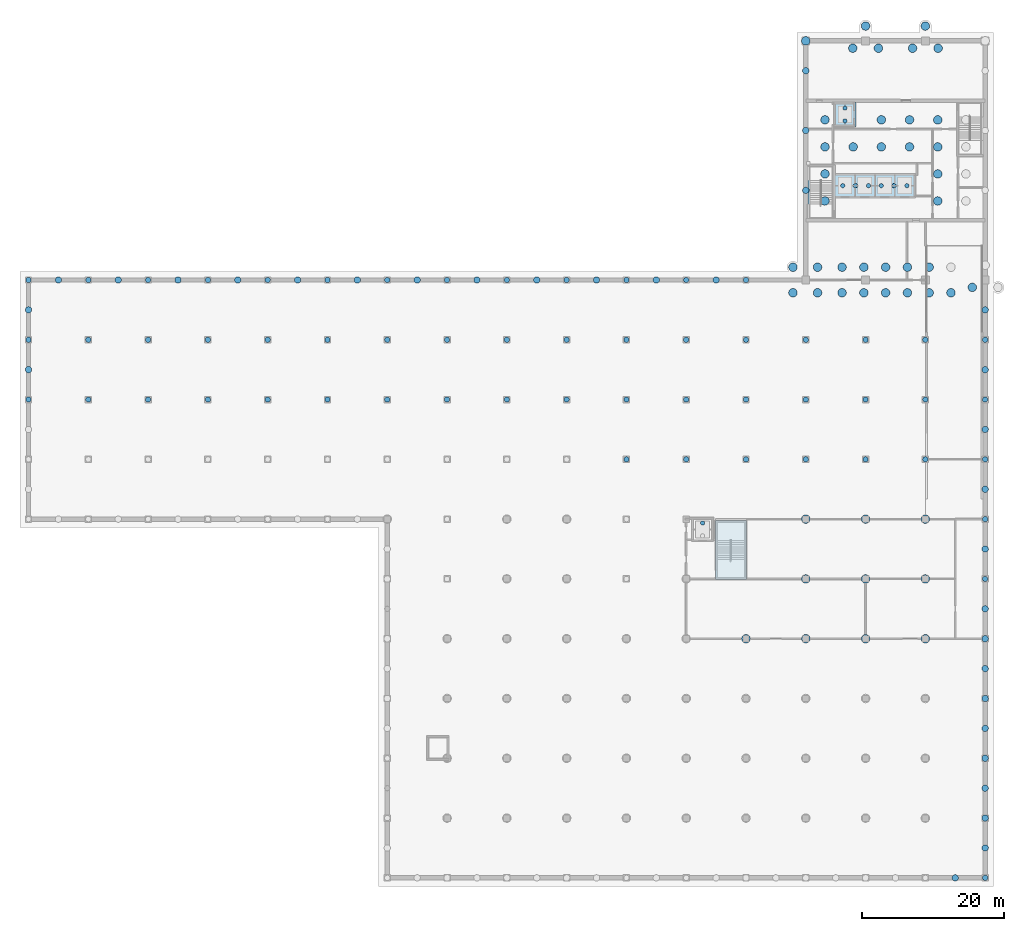
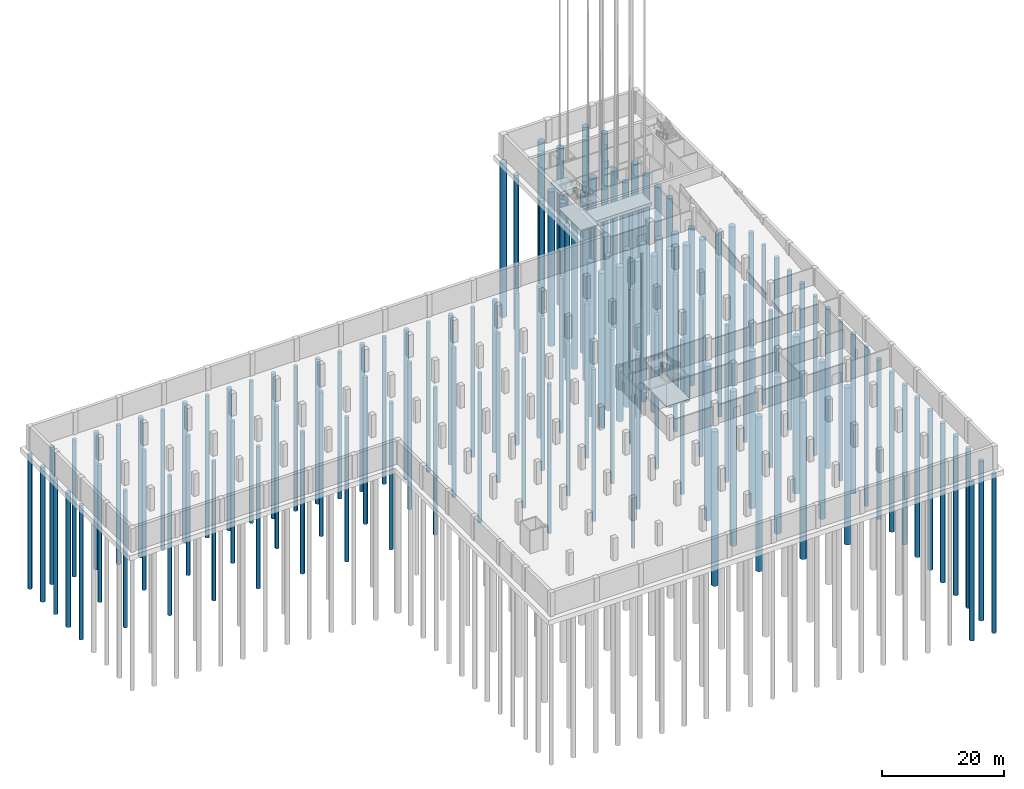
# One storey, part 2 of 26: 144 piles, 4 footings.
"""IFC4 building model written with IfcOpenShell, lengths in metres."""

from ifc_helpers import new_model, si_unit, direction, frame, origin, origin_2d, place, context, subcontext, project, spatial, polyline, rectangle, circle, outline, extrude, material, layer, layer_set, material_profile, profile_set, type_object, element, save


model = new_model("IFC4")

# Units and contexts
model_context = context("Model", 3, precision=1e-05, world=origin(), true_north=direction((0.0, 1.0)))
body_context = subcontext(model_context, "Body", "Model", "MODEL_VIEW")
ifc_project = project(units=[si_unit("LENGTHUNIT", "METRE"), si_unit("AREAUNIT", "SQUARE_METRE"), si_unit("VOLUMEUNIT", "CUBIC_METRE"), si_unit("PLANEANGLEUNIT", "RADIAN"), si_unit("MASSUNIT", "GRAM", prefix="KILO")], contexts=[model_context])

# Site, building, storey
site_placement = place(None, origin())
site = spatial("IfcSite", under=ifc_project, at=site_placement, CompositionType="ELEMENT")
building_placement = place(site_placement, origin())
building = spatial("IfcBuilding", under=site, at=building_placement, Name="Rulbaag Community and Learning Centre", CompositionType="ELEMENT")
storey_placement = place(building_placement, frame((0.0, 0.0, -9.60009765625)))
storey = spatial("IfcBuildingStorey", under=building, at=storey_placement, Name="B2", CompositionType="ELEMENT", Elevation=-9.60009765625)

# Piles
ifc_material = material(Name="Concrete M35", Category="concrete")
ifc_material_profile_1 = material_profile(ifc_material, circle(Radius=0.375, at=origin_2d()), Name="BP750")
ifc_profile_set_1 = profile_set([ifc_material_profile_1], Name="Concrete M35")
pile_type_1 = type_object("IfcPileType", Name="P1 Bored pile 750 mm Concrete M35", PredefinedType="BORED", material=ifc_profile_set_1)
for number, where, z_axis, x_axis, name in (
    (1, (33.60009765625, 67.199951171875, -1.14990234375), (0.0, 0.0, -1.0), (1.0, 0.0, 0.0), "PL-RAFT-33.6x67.2"),
    (2, (33.60009765625, 75.60009765625, -1.14990234375), (0.0, 0.0, -1.0), (1.0, 0.0, 0.0), "PL-RAFT-33.6x75.6"),
    (3, (33.60009765625, 84.0, -1.14990234375), (0.0, 0.0, -1.0), (1.0, 0.0, 0.0), "PL-RAFT-33.6x84.0"),
):
    element("IfcPile", number, at=place(storey_placement, frame(where, z_axis=z_axis, x_axis=x_axis)), inside=storey, type_object=pile_type_1, Name=name, PredefinedType="BORED", context=body_context, shape_type="SweptSolid", body=[
        extrude(circle(Radius=0.375, at=origin_2d()), origin(), (0.0, 0.0, 1.0), 27.0),
    ])
for number, where, z_axis, x_axis, name in (
    (4, (42.0, 67.199951171875, -1.14990234375), (0.0, 0.0, -1.0), (1.0, 0.0, 0.0), "PL-RAFT-42.0x67.2"),
    (5, (42.0, 75.60009765625, -1.14990234375), (0.0, 0.0, -1.0), (1.0, 0.0, 0.0), "PL-RAFT-42.0x75.6"),
    (6, (42.0, 84.0, -1.14990234375), (0.0, 0.0, -1.0), (1.0, 0.0, 0.0), "PL-RAFT-42.0x84.0"),
):
    element("IfcPile", number, at=place(storey_placement, frame(where, z_axis=z_axis, x_axis=x_axis)), inside=storey, type_object=pile_type_1, Name=name, PredefinedType="BORED", context=body_context, shape_type="SweptSolid", body=[
        extrude(circle(Radius=0.375, at=origin_2d()), origin(), (0.0, 0.0, 1.0), 27.5),
    ])
for number, where, z_axis, x_axis, name in (
    (7, (50.39990234375, 67.199951171875, -1.14990234375), (0.0, 0.0, -1.0), (1.0, 0.0, 0.0), "PL-RAFT-50.4x67.2"),
    (8, (50.39990234375, 75.60009765625, -1.14990234375), (0.0, 0.0, -1.0), (1.0, 0.0, 0.0), "PL-RAFT-50.4x75.6"),
    (9, (50.39990234375, 84.0, -1.14990234375), (0.0, 0.0, -1.0), (1.0, 0.0, 0.0), "PL-RAFT-50.4x84.0"),
    (10, (58.800048828125, 67.199951171875, -1.14990234375), (0.0, 0.0, -1.0), (1.0, 0.0, 0.0), "PL-RAFT-58.8x67.2"),
    (11, (58.800048828125, 75.60009765625, -1.14990234375), (0.0, 0.0, -1.0), (1.0, 0.0, 0.0), "PL-RAFT-58.8x75.6"),
    (12, (58.800048828125, 84.0, -1.14990234375), (0.0, 0.0, -1.0), (1.0, 0.0, 0.0), "PL-RAFT-58.8x84.0"),
):
    element("IfcPile", number, at=place(storey_placement, frame(where, z_axis=z_axis, x_axis=x_axis)), inside=storey, type_object=pile_type_1, Name=name, PredefinedType="BORED", context=body_context, shape_type="SweptSolid", body=[
        extrude(circle(Radius=0.375, at=origin_2d()), origin(), (0.0, 0.0, 1.0), 28.0),
    ])
for number, where, z_axis, x_axis, name in (
    (13, (67.199951171875, 67.199951171875, -1.14990234375), (0.0, 0.0, -1.0), (1.0, 0.0, 0.0), "PL-RAFT-67.2x67.2"),
    (14, (67.199951171875, 75.60009765625, -1.14990234375), (0.0, 0.0, -1.0), (1.0, 0.0, 0.0), "PL-RAFT-67.2x75.6"),
    (15, (67.199951171875, 84.0, -1.14990234375), (0.0, 0.0, -1.0), (1.0, 0.0, 0.0), "PL-RAFT-67.2x84.0"),
    (16, (75.60009765625, 67.199951171875, -1.14990234375), (0.0, 0.0, -1.0), (1.0, 0.0, 0.0), "PL-RAFT-75.6x67.2"),
    (17, (75.60009765625, 75.60009765625, -1.14990234375), (0.0, 0.0, -1.0), (1.0, 0.0, 0.0), "PL-RAFT-75.6x75.6"),
    (18, (75.60009765625, 84.0, -1.14990234375), (0.0, 0.0, -1.0), (1.0, 0.0, 0.0), "PL-RAFT-75.6x84.0"),
):
    element("IfcPile", number, at=place(storey_placement, frame(where, z_axis=z_axis, x_axis=x_axis)), inside=storey, type_object=pile_type_1, Name=name, PredefinedType="BORED", context=body_context, shape_type="SweptSolid", body=[
        extrude(circle(Radius=0.375, at=origin_2d()), origin(), (0.0, 0.0, 1.0), 28.5),
    ])
for number, where, z_axis, x_axis, name in (
    (19, (84.0, 67.199951171875, -1.14990234375), (0.0, 0.0, -1.0), (1.0, 0.0, 0.0), "PL-RAFT-84.0x67.2"),
    (20, (84.0, 75.60009765625, -1.14990234375), (0.0, 0.0, -1.0), (1.0, 0.0, 0.0), "PL-RAFT-84.0x75.6"),
    (21, (84.0, 84.0, -1.14990234375), (0.0, 0.0, -1.0), (1.0, 0.0, 0.0), "PL-RAFT-84.0x84.0"),
):
    element("IfcPile", number, at=place(storey_placement, frame(where, z_axis=z_axis, x_axis=x_axis)), inside=storey, type_object=pile_type_1, Name=name, PredefinedType="BORED", context=body_context, shape_type="SweptSolid", body=[
        extrude(circle(Radius=0.375, at=origin_2d()), origin(), (0.0, 0.0, 1.0), 29.0),
    ])
for number, where, z_axis, x_axis, name in (
    (22, (92.39990234375, 67.199951171875, -1.14990234375), (0.0, 0.0, -1.0), (1.0, 0.0, 0.0), "PL-RAFT-92.4x67.2"),
    (23, (92.39990234375, 75.60009765625, -1.14990234375), (0.0, 0.0, -1.0), (1.0, 0.0, 0.0), "PL-RAFT-92.4x75.6"),
    (24, (92.39990234375, 84.0, -1.14990234375), (0.0, 0.0, -1.0), (1.0, 0.0, 0.0), "PL-RAFT-92.4x84.0"),
    (25, (100.800048828125, 67.199951171875, -1.14990234375), (0.0, 0.0, -1.0), (1.0, 0.0, 0.0), "PL-RAFT-100.8x67.2"),
    (26, (100.800048828125, 75.60009765625, -1.14990234375), (0.0, 0.0, -1.0), (1.0, 0.0, 0.0), "PL-RAFT-100.8x75.6"),
    (27, (100.800048828125, 84.0, -1.14990234375), (0.0, 0.0, -1.0), (1.0, 0.0, 0.0), "PL-RAFT-100.8x84.0"),
):
    element("IfcPile", number, at=place(storey_placement, frame(where, z_axis=z_axis, x_axis=x_axis)), inside=storey, type_object=pile_type_1, Name=name, PredefinedType="BORED", context=body_context, shape_type="SweptSolid", body=[
        extrude(circle(Radius=0.375, at=origin_2d()), origin(), (0.0, 0.0, 1.0), 29.5),
    ])
for number, where, z_axis, x_axis, name in (
    (28, (109.199951171875, 67.199951171875, -1.14990234375), (0.0, 0.0, -1.0), (1.0, 0.0, 0.0), "PL-RAFT-109.2x67.2"),
    (29, (109.199951171875, 75.60009765625, -1.14990234375), (0.0, 0.0, -1.0), (1.0, 0.0, 0.0), "PL-RAFT-109.2x75.6"),
    (30, (109.199951171875, 84.0, -1.14990234375), (0.0, 0.0, -1.0), (1.0, 0.0, 0.0), "PL-RAFT-109.2x84.0"),
    (31, (117.60009765625, 58.800048828125, -1.14990234375), (0.0, 0.0, -1.0), (1.0, 0.0, 0.0), "PL-RAFT-117.6x58.8"),
    (32, (117.60009765625, 67.199951171875, -1.14990234375), (0.0, 0.0, -1.0), (1.0, 0.0, 0.0), "PL-RAFT-117.6x67.2"),
    (33, (117.60009765625, 75.60009765625, -1.14990234375), (0.0, 0.0, -1.0), (1.0, 0.0, 0.0), "PL-RAFT-117.6x75.6"),
    (34, (117.60009765625, 84.0, -1.14990234375), (0.0, 0.0, -1.0), (1.0, 0.0, 0.0), "PL-RAFT-117.6x84.0"),
):
    element("IfcPile", number, at=place(storey_placement, frame(where, z_axis=z_axis, x_axis=x_axis)), inside=storey, type_object=pile_type_1, Name=name, PredefinedType="BORED", context=body_context, shape_type="SweptSolid", body=[
        extrude(circle(Radius=0.375, at=origin_2d()), origin(), (0.0, 0.0, 1.0), 30.0),
    ])
for number, where, z_axis, x_axis, name in (
    (35, (126.0, 58.800048828125, -1.14990234375), (0.0, 0.0, -1.0), (1.0, 0.0, 0.0), "PL-RAFT-126.0x58.8"),
    (36, (126.0, 67.199951171875, -1.14990234375), (0.0, 0.0, -1.0), (1.0, 0.0, 0.0), "PL-RAFT-126.0x67.2"),
    (37, (126.0, 75.60009765625, -1.14990234375), (0.0, 0.0, -1.0), (1.0, 0.0, 0.0), "PL-RAFT-126.0x75.6"),
    (38, (126.0, 84.0, -1.14990234375), (0.0, 0.0, -1.0), (1.0, 0.0, 0.0), "PL-RAFT-126.0x84.0"),
):
    element("IfcPile", number, at=place(storey_placement, frame(where, z_axis=z_axis, x_axis=x_axis)), inside=storey, type_object=pile_type_1, Name=name, PredefinedType="BORED", context=body_context, shape_type="SweptSolid", body=[
        extrude(circle(Radius=0.375, at=origin_2d()), origin(), (0.0, 0.0, 1.0), 30.5),
    ])
for number, where, z_axis, x_axis, name in (
    (39, (134.39990234375, 58.800048828125, -1.14990234375), (0.0, 0.0, -1.0), (1.0, 0.0, 0.0), "PL-RAFT-134.4x58.8"),
    (40, (134.39990234375, 67.199951171875, -1.14990234375), (0.0, 0.0, -1.0), (1.0, 0.0, 0.0), "PL-RAFT-134.4x67.2"),
    (41, (134.39990234375, 75.60009765625, -1.14990234375), (0.0, 0.0, -1.0), (1.0, 0.0, 0.0), "PL-RAFT-134.4x75.6"),
    (42, (134.39990234375, 84.0, -1.14990234375), (0.0, 0.0, -1.0), (1.0, 0.0, 0.0), "PL-RAFT-134.4x84.0"),
    (43, (142.800048828125, 58.800048828125, -1.14990234375), (0.0, 0.0, -1.0), (1.0, 0.0, 0.0), "PL-RAFT-142.8x58.8"),
    (44, (142.800048828125, 67.199951171875, -1.14990234375), (0.0, 0.0, -1.0), (1.0, 0.0, 0.0), "PL-RAFT-142.8x67.2"),
    (45, (142.800048828125, 75.60009765625, -1.14990234375), (0.0, 0.0, -1.0), (1.0, 0.0, 0.0), "PL-RAFT-142.8x75.6"),
):
    element("IfcPile", number, at=place(storey_placement, frame(where, z_axis=z_axis, x_axis=x_axis)), inside=storey, type_object=pile_type_1, Name=name, PredefinedType="BORED", context=body_context, shape_type="SweptSolid", body=[
        extrude(circle(Radius=0.375, at=origin_2d()), origin(), (0.0, 0.0, 1.0), 31.0),
    ])
for number, where, z_axis, x_axis, name in (
    (46, (151.199951171875, 58.800048828125, -1.14990234375), (0.0, 0.0, -1.0), (1.0, 0.0, 0.0), "PL-RAFT-151.2x58.8"),
    (47, (151.199951171875, 67.199951171875, -1.14990234375), (0.0, 0.0, -1.0), (1.0, 0.0, 0.0), "PL-RAFT-151.2x67.2"),
    (48, (151.199951171875, 75.60009765625, -1.14990234375), (0.0, 0.0, -1.0), (1.0, 0.0, 0.0), "PL-RAFT-151.2x75.6"),
    (49, (159.60009765625, 58.800048828125, -1.14990234375), (0.0, 0.0, -1.0), (1.0, 0.0, 0.0), "PL-RAFT-159.6x58.8"),
    (50, (159.60009765625, 67.199951171875, -1.14990234375), (0.0, 0.0, -1.0), (1.0, 0.0, 0.0), "PL-RAFT-159.6x67.2"),
    (51, (159.60009765625, 75.60009765625, -1.14990234375), (0.0, 0.0, -1.0), (1.0, 0.0, 0.0), "PL-RAFT-159.6x75.6"),
):
    element("IfcPile", number, at=place(storey_placement, frame(where, z_axis=z_axis, x_axis=x_axis)), inside=storey, type_object=pile_type_1, Name=name, PredefinedType="BORED", context=body_context, shape_type="SweptSolid", body=[
        extrude(circle(Radius=0.375, at=origin_2d()), origin(), (0.0, 0.0, 1.0), 31.5),
    ])
for number, where, z_axis, x_axis, name in (
    (52, (168.0, 0.0, -1.14990234375), (0.0, 0.0, -1.0), (1.0, 0.0, 0.0), "PL-RAFT-168.0x0.0"),
    (53, (168.0, 42.0, -1.14990234375), (0.0, 0.0, -1.0), (1.0, 0.0, 0.0), "PL-RAFT-168.0x42.0"),
    (54, (168.0, 50.39990234375, -1.14990234375), (0.0, 0.0, -1.0), (1.0, 0.0, 0.0), "PL-RAFT-168.0x50.4"),
    (55, (168.0, 58.800048828125, -1.14990234375), (0.0, 0.0, -1.0), (1.0, 0.0, 0.0), "PL-RAFT-168.0x58.8"),
    (56, (168.0, 67.199951171875, -1.14990234375), (0.0, 0.0, -1.0), (1.0, 0.0, 0.0), "PL-RAFT-168.0x67.2"),
    (57, (168.0, 75.60009765625, -1.14990234375), (0.0, 0.0, -1.0), (1.0, 0.0, 0.0), "PL-RAFT-168.0x75.6"),
):
    element("IfcPile", number, at=place(storey_placement, frame(where, z_axis=z_axis, x_axis=x_axis)), inside=storey, type_object=pile_type_1, Name=name, PredefinedType="BORED", context=body_context, shape_type="SweptSolid", body=[
        extrude(circle(Radius=0.375, at=origin_2d()), origin(), (0.0, 0.0, 1.0), 32.0),
    ])
ifc_material_profile_2 = material_profile(ifc_material, circle(Radius=0.449951171875, at=origin_2d()), Name="BP900")
ifc_profile_set_2 = profile_set([ifc_material_profile_2], Name="Concrete M35")
pile_type_2 = type_object("IfcPileType", Name="P2 Bored pile 900 mm Concrete M35", PredefinedType="BORED", material=ifc_profile_set_2)
for number, where, z_axis, x_axis, name in (
    (58, (168.0, 8.39990234375, -1.14990234375), (0.0, 0.0, -1.0), (1.0, 0.0, 0.0), "PL-RAFT-168.0x8.4"),
    (59, (168.0, 16.800048828125, -1.14990234375), (0.0, 0.0, -1.0), (1.0, 0.0, 0.0), "PL-RAFT-168.0x16.8"),
    (60, (168.0, 25.199951171875, -1.14990234375), (0.0, 0.0, -1.0), (1.0, 0.0, 0.0), "PL-RAFT-168.0x25.2"),
    (61, (168.0, 33.60009765625, -1.14990234375), (0.0, 0.0, -1.0), (1.0, 0.0, 0.0), "PL-RAFT-168.0x33.6"),
    (62, (163.800048828125, 0.0, -1.14990234375), (0.0, 0.0, -1.0), (1.0, 0.0, 0.0), "PL-RAFT-163.8x0.0"),
    (63, (168.0, 4.199951171875, -1.14990234375), (0.0, 0.0, -1.0), (1.0, 0.0, 0.0), "PL-RAFT-168.0x4.2"),
    (64, (168.0, 12.60009765625, -1.14990234375), (0.0, 0.0, -1.0), (1.0, 0.0, 0.0), "PL-RAFT-168.0x12.6"),
    (65, (168.0, 21.0, -1.14990234375), (0.0, 0.0, -1.0), (1.0, 0.0, 0.0), "PL-RAFT-168.0x21.0"),
    (66, (168.0, 29.39990234375, -1.14990234375), (0.0, 0.0, -1.0), (1.0, 0.0, 0.0), "PL-RAFT-168.0x29.4"),
    (67, (168.0, 37.800048828125, -1.14990234375), (0.0, 0.0, -1.0), (1.0, 0.0, 0.0), "PL-RAFT-168.0x37.8"),
    (68, (168.0, 46.199951171875, -1.14990234375), (0.0, 0.0, -1.0), (1.0, 0.0, 0.0), "PL-RAFT-168.0x46.2"),
    (69, (168.0, 54.60009765625, -1.14990234375), (0.0, 0.0, -1.0), (1.0, 0.0, 0.0), "PL-RAFT-168.0x54.6"),
    (70, (168.0, 63.0, -1.14990234375), (0.0, 0.0, -1.0), (1.0, 0.0, 0.0), "PL-RAFT-168.0x63.0"),
    (71, (168.0, 71.39990234375, -1.14990234375), (0.0, 0.0, -1.0), (1.0, 0.0, 0.0), "PL-RAFT-168.0x71.4"),
    (72, (168.0, 79.800048828125, -1.14990234375), (0.0, 0.0, -1.0), (1.0, 0.0, 0.0), "PL-RAFT-168.0x79.8"),
):
    element("IfcPile", number, at=place(storey_placement, frame(where, z_axis=z_axis, x_axis=x_axis)), inside=storey, type_object=pile_type_2, Name=name, PredefinedType="BORED", context=body_context, shape_type="SweptSolid", body=[
        extrude(circle(Radius=0.449951171875, at=origin_2d()), origin(), (0.0, 0.0, 1.0), 32.0),
    ])
for number, where, z_axis, x_axis, name in (
    (73, (142.800048828125, 113.39990234375, -1.14990234375), (0.0, 0.0, -1.0), (1.0, 0.0, 0.0), "PL-RAFT-142.8x113.4"),
    (74, (142.800048828125, 105.0, -1.14990234375), (0.0, 0.0, -1.0), (1.0, 0.0, 0.0), "PL-RAFT-142.8x105.0"),
    (75, (142.800048828125, 96.60009765625, -1.14990234375), (0.0, 0.0, -1.0), (1.0, 0.0, 0.0), "PL-RAFT-142.8x96.6"),
):
    element("IfcPile", number, at=place(storey_placement, frame(where, z_axis=z_axis, x_axis=x_axis)), inside=storey, type_object=pile_type_2, Name=name, PredefinedType="BORED", context=body_context, shape_type="SweptSolid", body=[
        extrude(circle(Radius=0.449951171875, at=origin_2d()), origin(), (0.0, 0.0, 1.0), 31.0),
    ])
for number, where, z_axis, x_axis, name in (
    (76, (130.199951171875, 84.0, -1.14990234375), (0.0, 0.0, -1.0), (1.0, 0.0, 0.0), "PL-RAFT-130.2x84.0"),
    (77, (121.800048828125, 84.0, -1.14990234375), (0.0, 0.0, -1.0), (1.0, 0.0, 0.0), "PL-RAFT-121.8x84.0"),
):
    element("IfcPile", number, at=place(storey_placement, frame(where, z_axis=z_axis, x_axis=x_axis)), inside=storey, type_object=pile_type_2, Name=name, PredefinedType="BORED", context=body_context, shape_type="SweptSolid", body=[
        extrude(circle(Radius=0.449951171875, at=origin_2d()), origin(), (0.0, 0.0, 1.0), 30.5),
    ])
for number, where, z_axis, x_axis, name in (
    (78, (113.39990234375, 84.0, -1.14990234375), (0.0, 0.0, -1.0), (1.0, 0.0, 0.0), "PL-RAFT-113.4x84.0"),
    (79, (105.0, 84.0, -1.14990234375), (0.0, 0.0, -1.0), (1.0, 0.0, 0.0), "PL-RAFT-105.0x84.0"),
):
    element("IfcPile", number, at=place(storey_placement, frame(where, z_axis=z_axis, x_axis=x_axis)), inside=storey, type_object=pile_type_2, Name=name, PredefinedType="BORED", context=body_context, shape_type="SweptSolid", body=[
        extrude(circle(Radius=0.449951171875, at=origin_2d()), origin(), (0.0, 0.0, 1.0), 30.0),
    ])
pile_1_placement = place(storey_placement, frame((96.60009765625, 84.0, -1.14990234375), z_axis=(0.0, 0.0, -1.0), x_axis=(1.0, 0.0, 0.0)))
element("IfcPile", 80, at=pile_1_placement, inside=storey, type_object=pile_type_2, Name="PL-RAFT-96.6x84.0", PredefinedType="BORED", context=body_context, shape_type="SweptSolid", body=[
    extrude(circle(Radius=0.449951171875, at=origin_2d()), origin(), (0.0, 0.0, 1.0), 29.5),
])
for number, where, z_axis, x_axis, name in (
    (81, (88.199951171875, 84.0, -1.14990234375), (0.0, 0.0, -1.0), (1.0, 0.0, 0.0), "PL-RAFT-88.2x84.0"),
    (82, (79.800048828125, 84.0, -1.14990234375), (0.0, 0.0, -1.0), (1.0, 0.0, 0.0), "PL-RAFT-79.8x84.0"),
):
    element("IfcPile", number, at=place(storey_placement, frame(where, z_axis=z_axis, x_axis=x_axis)), inside=storey, type_object=pile_type_2, Name=name, PredefinedType="BORED", context=body_context, shape_type="SweptSolid", body=[
        extrude(circle(Radius=0.449951171875, at=origin_2d()), origin(), (0.0, 0.0, 1.0), 29.0),
    ])
pile_2_placement = place(storey_placement, frame((71.39990234375, 84.0, -1.14990234375), z_axis=(0.0, 0.0, -1.0), x_axis=(1.0, 0.0, 0.0)))
element("IfcPile", 83, at=pile_2_placement, inside=storey, type_object=pile_type_2, Name="PL-RAFT-71.4x84.0", PredefinedType="BORED", context=body_context, shape_type="SweptSolid", body=[
    extrude(circle(Radius=0.449951171875, at=origin_2d()), origin(), (0.0, 0.0, 1.0), 28.5),
])
for number, where, z_axis, x_axis, name in (
    (84, (63.0, 84.0, -1.14990234375), (0.0, 0.0, -1.0), (1.0, 0.0, 0.0), "PL-RAFT-63.0x84.0"),
    (85, (54.60009765625, 84.0, -1.14990234375), (0.0, 0.0, -1.0), (1.0, 0.0, 0.0), "PL-RAFT-54.6x84.0"),
):
    element("IfcPile", number, at=place(storey_placement, frame(where, z_axis=z_axis, x_axis=x_axis)), inside=storey, type_object=pile_type_2, Name=name, PredefinedType="BORED", context=body_context, shape_type="SweptSolid", body=[
        extrude(circle(Radius=0.449951171875, at=origin_2d()), origin(), (0.0, 0.0, 1.0), 28.0),
    ])
for number, where, z_axis, x_axis, name in (
    (86, (46.199951171875, 84.0, -1.14990234375), (0.0, 0.0, -1.0), (1.0, 0.0, 0.0), "PL-RAFT-46.2x84.0"),
    (87, (37.800048828125, 84.0, -1.14990234375), (0.0, 0.0, -1.0), (1.0, 0.0, 0.0), "PL-RAFT-37.8x84.0"),
):
    element("IfcPile", number, at=place(storey_placement, frame(where, z_axis=z_axis, x_axis=x_axis)), inside=storey, type_object=pile_type_2, Name=name, PredefinedType="BORED", context=body_context, shape_type="SweptSolid", body=[
        extrude(circle(Radius=0.449951171875, at=origin_2d()), origin(), (0.0, 0.0, 1.0), 27.5),
    ])
for number, where, z_axis, x_axis, name in (
    (88, (33.60009765625, 79.800048828125, -1.14990234375), (0.0, 0.0, -1.0), (1.0, 0.0, 0.0), "PL-RAFT-33.6x79.8"),
    (89, (33.60009765625, 71.39990234375, -1.14990234375), (0.0, 0.0, -1.0), (1.0, 0.0, 0.0), "PL-RAFT-33.6x71.4"),
):
    element("IfcPile", number, at=place(storey_placement, frame(where, z_axis=z_axis, x_axis=x_axis)), inside=storey, type_object=pile_type_2, Name=name, PredefinedType="BORED", context=body_context, shape_type="SweptSolid", body=[
        extrude(circle(Radius=0.449951171875, at=origin_2d()), origin(), (0.0, 0.0, 1.0), 27.0),
    ])
ifc_material_profile_3 = material_profile(ifc_material, circle(Radius=0.60009765625, at=origin_2d()), Name="BP1200")
ifc_profile_set_3 = profile_set([ifc_material_profile_3], Name="Concrete M35")
pile_type_3 = type_object("IfcPileType", Name="P4 Bored pile 1200 mm Concrete M35", PredefinedType="BORED", material=ifc_profile_set_3)
for number, where, z_axis, x_axis, name in (
    (90, (134.39990234375, 33.60009765625, -1.14990234375), (0.0, 0.0, -1.0), (1.0, 0.0, 0.0), "PL-RAFT-134.4x33.6"),
    (91, (142.800048828125, 33.60009765625, -1.14990234375), (0.0, 0.0, -1.0), (1.0, 0.0, 0.0), "PL-RAFT-142.8x33.6"),
    (92, (142.800048828125, 42.0, -1.14990234375), (0.0, 0.0, -1.0), (1.0, 0.0, 0.0), "PL-RAFT-142.8x42.0"),
    (93, (142.800048828125, 50.39990234375, -1.14990234375), (0.0, 0.0, -1.0), (1.0, 0.0, 0.0), "PL-RAFT-142.8x50.4"),
    (94, (141.0, 82.199951171875, -1.14990234375), (0.0, 0.0, -1.0), (1.0, 0.0, 0.0), "PL-RAFT-141.0x82.2"),
    (95, (144.449951171875, 82.199951171875, -1.14990234375), (0.0, 0.0, -1.0), (1.0, 0.0, 0.0), "PL-RAFT-144.4x82.2"),
    (96, (141.0, 85.800048828125, -1.14990234375), (0.0, 0.0, -1.0), (1.0, 0.0, 0.0), "PL-RAFT-141.0x85.8"),
    (97, (144.449951171875, 85.800048828125, -1.14990234375), (0.0, 0.0, -1.0), (1.0, 0.0, 0.0), "PL-RAFT-144.4x85.8"),
    (98, (142.800048828125, 117.60009765625, -1.14990234375), (0.0, 0.0, -1.0), (1.0, 0.0, 0.0), "PL-RAFT-142.8x117.6"),
):
    element("IfcPile", number, at=place(storey_placement, frame(where, z_axis=z_axis, x_axis=x_axis)), inside=storey, type_object=pile_type_3, Name=name, PredefinedType="BORED", context=body_context, shape_type="SweptSolid", body=[
        extrude(circle(Radius=0.60009765625, at=origin_2d()), origin(), (0.0, 0.0, 1.0), 31.0),
    ])
for number, where, z_axis, x_axis, name in (
    (99, (151.199951171875, 33.60009765625, -1.14990234375), (0.0, 0.0, -1.0), (1.0, 0.0, 0.0), "PL-RAFT-151.2x33.6"),
    (100, (151.199951171875, 42.0, -1.14990234375), (0.0, 0.0, -1.0), (1.0, 0.0, 0.0), "PL-RAFT-151.2x42.0"),
    (101, (151.199951171875, 50.39990234375, -1.14990234375), (0.0, 0.0, -1.0), (1.0, 0.0, 0.0), "PL-RAFT-151.2x50.4"),
    (102, (147.89990234375, 82.199951171875, -1.14990234375), (0.0, 0.0, -1.0), (1.0, 0.0, 0.0), "PL-RAFT-147.9x82.2"),
    (103, (150.9599609375, 82.199951171875, -1.14990234375), (0.0, 0.0, -1.0), (1.0, 0.0, 0.0), "PL-RAFT-151.0x82.2"),
    (104, (154.02001953125, 82.199951171875, -1.14990234375), (0.0, 0.0, -1.0), (1.0, 0.0, 0.0), "PL-RAFT-154.0x82.2"),
    (105, (147.89990234375, 85.800048828125, -1.14990234375), (0.0, 0.0, -1.0), (1.0, 0.0, 0.0), "PL-RAFT-147.9x85.8"),
    (106, (150.9599609375, 85.800048828125, -1.14990234375), (0.0, 0.0, -1.0), (1.0, 0.0, 0.0), "PL-RAFT-151.0x85.8"),
    (107, (154.02001953125, 85.800048828125, -1.14990234375), (0.0, 0.0, -1.0), (1.0, 0.0, 0.0), "PL-RAFT-154.0x85.8"),
    (108, (149.39990234375, 116.560791015625, -1.14990234375), (0.0, 0.0, -1.0), (1.0, 0.0, 0.0), "PL-RAFT-149.4x116.6"),
    (109, (153.0, 116.560791015625, -1.14990234375), (0.0, 0.0, -1.0), (1.0, 0.0, 0.0), "PL-RAFT-153.0x116.6"),
    (110, (151.199951171875, 119.6787109375, -1.14990234375), (0.0, 0.0, -1.0), (1.0, 0.0, 0.0), "PL-RAFT-151.2x119.7"),
    (111, (159.60009765625, 33.60009765625, -1.14990234375), (0.0, 0.0, -1.0), (1.0, 0.0, 0.0), "PL-RAFT-159.6x33.6"),
    (112, (159.60009765625, 42.0, -1.14990234375), (0.0, 0.0, -1.0), (1.0, 0.0, 0.0), "PL-RAFT-159.6x42.0"),
    (113, (159.60009765625, 50.39990234375, -1.14990234375), (0.0, 0.0, -1.0), (1.0, 0.0, 0.0), "PL-RAFT-159.6x50.4"),
    (114, (157.080078125, 82.199951171875, -1.14990234375), (0.0, 0.0, -1.0), (1.0, 0.0, 0.0), "PL-RAFT-157.1x82.2"),
    (115, (160.139892578125, 82.199951171875, -1.14990234375), (0.0, 0.0, -1.0), (1.0, 0.0, 0.0), "PL-RAFT-160.1x82.2"),
):
    element("IfcPile", number, at=place(storey_placement, frame(where, z_axis=z_axis, x_axis=x_axis)), inside=storey, type_object=pile_type_3, Name=name, PredefinedType="BORED", context=body_context, shape_type="SweptSolid", body=[
        extrude(circle(Radius=0.60009765625, at=origin_2d()), origin(), (0.0, 0.0, 1.0), 31.5),
    ])
pile_3_placement = place(storey_placement, frame((163.199951171875, 82.199951171875, -1.14990234375), z_axis=(0.0, 0.0, -1.0), x_axis=(1.0, 0.0, 0.0)))
element("IfcPile", 116, at=pile_3_placement, inside=storey, type_object=pile_type_3, Name="PL-RAFT-163.2x82.2", PredefinedType="BORED", context=body_context, shape_type="SweptSolid", body=[
    extrude(circle(Radius=0.60009765625, at=origin_2d()), origin(), (0.0, 0.0, 1.0), 32.0),
])
for number, where, z_axis, x_axis, name in (
    (117, (157.080078125, 85.800048828125, -1.14990234375), (0.0, 0.0, -1.0), (1.0, 0.0, 0.0), "PL-RAFT-157.1x85.8"),
    (118, (160.139892578125, 85.800048828125, -1.14990234375), (0.0, 0.0, -1.0), (1.0, 0.0, 0.0), "PL-RAFT-160.1x85.8"),
    (119, (157.800048828125, 116.560791015625, -1.14990234375), (0.0, 0.0, -1.0), (1.0, 0.0, 0.0), "PL-RAFT-157.8x116.6"),
):
    element("IfcPile", number, at=place(storey_placement, frame(where, z_axis=z_axis, x_axis=x_axis)), inside=storey, type_object=pile_type_3, Name=name, PredefinedType="BORED", context=body_context, shape_type="SweptSolid", body=[
        extrude(circle(Radius=0.60009765625, at=origin_2d()), origin(), (0.0, 0.0, 1.0), 31.5),
    ])
pile_4_placement = place(storey_placement, frame((161.39990234375, 116.560791015625, -1.14990234375), z_axis=(0.0, 0.0, -1.0), x_axis=(1.0, 0.0, 0.0)))
element("IfcPile", 120, at=pile_4_placement, inside=storey, type_object=pile_type_3, Name="PL-RAFT-161.4x116.6", PredefinedType="BORED", context=body_context, shape_type="SweptSolid", body=[
    extrude(circle(Radius=0.60009765625, at=origin_2d()), origin(), (0.0, 0.0, 1.0), 32.0),
])
pile_5_placement = place(storey_placement, frame((159.60009765625, 119.6787109375, -1.14990234375), z_axis=(0.0, 0.0, -1.0), x_axis=(1.0, 0.0, 0.0)))
element("IfcPile", 121, at=pile_5_placement, inside=storey, type_object=pile_type_3, Name="PL-RAFT-159.6x119.7", PredefinedType="BORED", context=body_context, shape_type="SweptSolid", body=[
    extrude(circle(Radius=0.60009765625, at=origin_2d()), origin(), (0.0, 0.0, 1.0), 31.5),
])
pile_6_placement = place(storey_placement, frame((166.199951171875, 82.960693359375, -1.14990234375), z_axis=(0.0, 0.0, -1.0), x_axis=(1.0, 0.0, 0.0)))
element("IfcPile", 122, at=pile_6_placement, inside=storey, type_object=pile_type_3, Name="PL-RAFT-166.2x83.0", PredefinedType="BORED", context=body_context, shape_type="SweptSolid", body=[
    extrude(circle(Radius=0.60009765625, at=origin_2d()), origin(), (0.0, 0.0, 1.0), 32.0),
])
for number, where, z_axis, x_axis, name in (
    (123, (145.5, 95.10009765625, -1.14990234375), (0.0, 0.0, -1.0), (1.0, 0.0, 0.0), "PL-RAFT-145.5x95.1"),
    (124, (145.5, 98.89990234375, -1.14990234375), (0.0, 0.0, -1.0), (1.0, 0.0, 0.0), "PL-RAFT-145.5x98.9"),
    (125, (145.5, 102.699951171875, -1.14990234375), (0.0, 0.0, -1.0), (1.0, 0.0, 0.0), "PL-RAFT-145.5x102.7"),
    (126, (145.5, 106.5, -1.14990234375), (0.0, 0.0, -1.0), (1.0, 0.0, 0.0), "PL-RAFT-145.5x106.5"),
):
    element("IfcPile", number, at=place(storey_placement, frame(where, z_axis=z_axis, x_axis=x_axis)), inside=storey, type_object=pile_type_3, Name=name, PredefinedType="BORED", context=body_context, shape_type="SweptSolid", body=[
        extrude(circle(Radius=0.60009765625, at=origin_2d()), origin(), (0.0, 0.0, 1.0), 31.0),
    ])
for number, where, z_axis, x_axis, name in (
    (127, (149.4599609375, 102.699951171875, -1.14990234375), (0.0, 0.0, -1.0), (1.0, 0.0, 0.0), "PL-RAFT-149.5x102.7"),
    (128, (153.419921875, 102.699951171875, -1.14990234375), (0.0, 0.0, -1.0), (1.0, 0.0, 0.0), "PL-RAFT-153.4x102.7"),
    (129, (153.419921875, 106.5, -1.14990234375), (0.0, 0.0, -1.0), (1.0, 0.0, 0.0), "PL-RAFT-153.4x106.5"),
    (130, (157.3798828125, 102.699951171875, -1.14990234375), (0.0, 0.0, -1.0), (1.0, 0.0, 0.0), "PL-RAFT-157.4x102.7"),
    (131, (157.3798828125, 106.5, -1.14990234375), (0.0, 0.0, -1.0), (1.0, 0.0, 0.0), "PL-RAFT-157.4x106.5"),
):
    element("IfcPile", number, at=place(storey_placement, frame(where, z_axis=z_axis, x_axis=x_axis)), inside=storey, type_object=pile_type_3, Name=name, PredefinedType="BORED", context=body_context, shape_type="SweptSolid", body=[
        extrude(circle(Radius=0.60009765625, at=origin_2d()), origin(), (0.0, 0.0, 1.0), 31.5),
    ])
for number, where, z_axis, x_axis, name in (
    (132, (161.340087890625, 95.10009765625, -1.14990234375), (0.0, 0.0, -1.0), (1.0, 0.0, 0.0), "PL-RAFT-161.3x95.1"),
    (133, (161.340087890625, 98.89990234375, -1.14990234375), (0.0, 0.0, -1.0), (1.0, 0.0, 0.0), "PL-RAFT-161.3x98.9"),
    (134, (161.340087890625, 102.699951171875, -1.14990234375), (0.0, 0.0, -1.0), (1.0, 0.0, 0.0), "PL-RAFT-161.3x102.7"),
    (135, (161.340087890625, 106.5, -1.14990234375), (0.0, 0.0, -1.0), (1.0, 0.0, 0.0), "PL-RAFT-161.3x106.5"),
):
    element("IfcPile", number, at=place(storey_placement, frame(where, z_axis=z_axis, x_axis=x_axis)), inside=storey, type_object=pile_type_3, Name=name, PredefinedType="BORED", context=body_context, shape_type="SweptSolid", body=[
        extrude(circle(Radius=0.60009765625, at=origin_2d()), origin(), (0.0, 0.0, 1.0), 32.0),
    ])
ifc_material_profile_4 = material_profile(ifc_material, circle(Radius=0.300048828125, at=origin_2d()), Name="BP600")
ifc_profile_set_4 = profile_set([ifc_material_profile_4], Name="Concrete M35")
pile_type_4 = type_object("IfcPileType", Name="P5 Bored pile 600 mm Concrete M35", PredefinedType="BORED", material=ifc_profile_set_4)
pile_7_placement = place(storey_placement, frame((128.300048828125, 49.85009765625, -2.0), z_axis=(0.0, 0.0, -1.0), x_axis=(1.0, 0.0, 0.0)))
element("IfcPile", 136, at=pile_7_placement, inside=storey, type_object=pile_type_4, Name="PL-PIT-LH3-2", PredefinedType="BORED", context=body_context, shape_type="SweptSolid", body=[
    extrude(circle(Radius=0.300048828125, at=origin_2d()), origin(), (0.0, 0.0, 1.0), 30.5),
])
for number, where, z_axis, x_axis, name in (
    (137, (148.0, 97.25, -2.0), (0.0, 0.0, -1.0), (1.0, 0.0, 0.0), "PL-PIT-LP1-LP2-LP3-LP4-1"),
    (138, (149.800048828125, 97.25, -2.0), (0.0, 0.0, -1.0), (1.0, 0.0, 0.0), "PL-PIT-LP1-LP2-LP3-LP4-2"),
    (139, (151.60009765625, 97.25, -2.0), (0.0, 0.0, -1.0), (1.0, 0.0, 0.0), "PL-PIT-LP1-LP2-LP3-LP4-3"),
    (140, (153.39990234375, 97.25, -2.0), (0.0, 0.0, -1.0), (1.0, 0.0, 0.0), "PL-PIT-LP1-LP2-LP3-LP4-4"),
    (141, (155.199951171875, 97.25, -2.0), (0.0, 0.0, -1.0), (1.0, 0.0, 0.0), "PL-PIT-LP1-LP2-LP3-LP4-5"),
    (142, (157.0, 97.25, -2.0), (0.0, 0.0, -1.0), (1.0, 0.0, 0.0), "PL-PIT-LP1-LP2-LP3-LP4-6"),
    (143, (148.300048828125, 106.35009765625, -2.0), (0.0, 0.0, -1.0), (1.0, 0.0, 0.0), "PL-PIT-LF1-1"),
    (144, (148.300048828125, 108.14990234375, -2.0), (0.0, 0.0, -1.0), (1.0, 0.0, 0.0), "PL-PIT-LF1-2"),
):
    element("IfcPile", number, at=place(storey_placement, frame(where, z_axis=z_axis, x_axis=x_axis)), inside=storey, type_object=pile_type_4, Name=name, PredefinedType="BORED", context=body_context, shape_type="SweptSolid", body=[
        extrude(circle(Radius=0.300048828125, at=origin_2d()), origin(), (0.0, 0.0, 1.0), 31.5),
    ])

# Footings
footing_type_1 = type_object("IfcFootingType", Name="PC3 Lift pit pad 3100 x 3400 x 600 Concrete M35", PredefinedType="PAD_FOOTING", material=ifc_material)
footing_1_placement = place(storey_placement, frame((148.300048828125, 107.25, -2.099853515625), z_axis=(0.0, 0.0, 1.0), x_axis=(1.0, 0.0, 0.0)))
element("IfcFooting", 145, at=footing_1_placement, inside=storey, type_object=footing_type_1, Name="FT-PIT-LF1", PredefinedType="PAD_FOOTING", context=body_context, shape_type="SweptSolid", body=[
    extrude(rectangle(XDim=3.10009765625, YDim=3.39990234375, at=origin_2d()), origin(), (0.0, 0.0, 1.0), 0.60009765625),
])
footing_type_2 = type_object("IfcFootingType", Name="PC4 Lift pit pad 11500 x 3400 x 600 Concrete M35", PredefinedType="PAD_FOOTING", material=ifc_material)
footing_2_placement = place(storey_placement, frame((152.5, 97.25, -2.099853515625), z_axis=(0.0, 0.0, 1.0), x_axis=(1.0, 0.0, 0.0)))
element("IfcFooting", 146, at=footing_2_placement, inside=storey, type_object=footing_type_2, Name="FT-PIT-LP1-LP2-LP3-LP4", PredefinedType="PAD_FOOTING", context=body_context, shape_type="SweptSolid", body=[
    extrude(rectangle(XDim=11.5, YDim=3.39990234375, at=origin_2d()), origin(), (0.0, 0.0, 1.0), 0.60009765625),
])
ifc_layer = layer(ifc_material, 0.25)
ifc_layer_set = layer_set([ifc_layer], Name="PCS Stair base slab 250 Concrete M35")
footing_type_3 = type_object("IfcFootingType", Name="PCS Stair base slab 250 Concrete M35", PredefinedType="PAD_FOOTING", material=ifc_layer_set)
footing_3_placement = place(storey_placement, frame((0.0, 0.0, -0.25)))
element("IfcFooting", 147, at=footing_3_placement, inside=storey, type_object=footing_type_3, Name="Stair base slab SH3", PredefinedType="PAD_FOOTING", context=body_context, shape_type="SweptSolid", body=[
    extrude(outline(polyline([(130.10009765625, 41.89990234375), (134.5, 41.89990234375), (134.5, 50.22509765625), (130.10009765625, 50.22509765625), (130.10009765625, 41.89990234375)])), origin(), (0.0, 0.0, 1.0), 0.25),
])
footing_4_placement = place(storey_placement, frame((0.0, 0.0, -0.25)))
element("IfcFooting", 148, at=footing_4_placement, inside=storey, type_object=footing_type_3, Name="Stair base slab ST1", PredefinedType="PAD_FOOTING", context=body_context, shape_type="SweptSolid", body=[
    extrude(outline(polyline([(143.10009765625, 92.64990234375), (146.60009765625, 92.64990234375), (146.60009765625, 100.0), (143.10009765625, 100.0), (143.10009765625, 92.64990234375)])), origin(), (0.0, 0.0, 1.0), 0.25),
])

save(model, "model.ifc")
